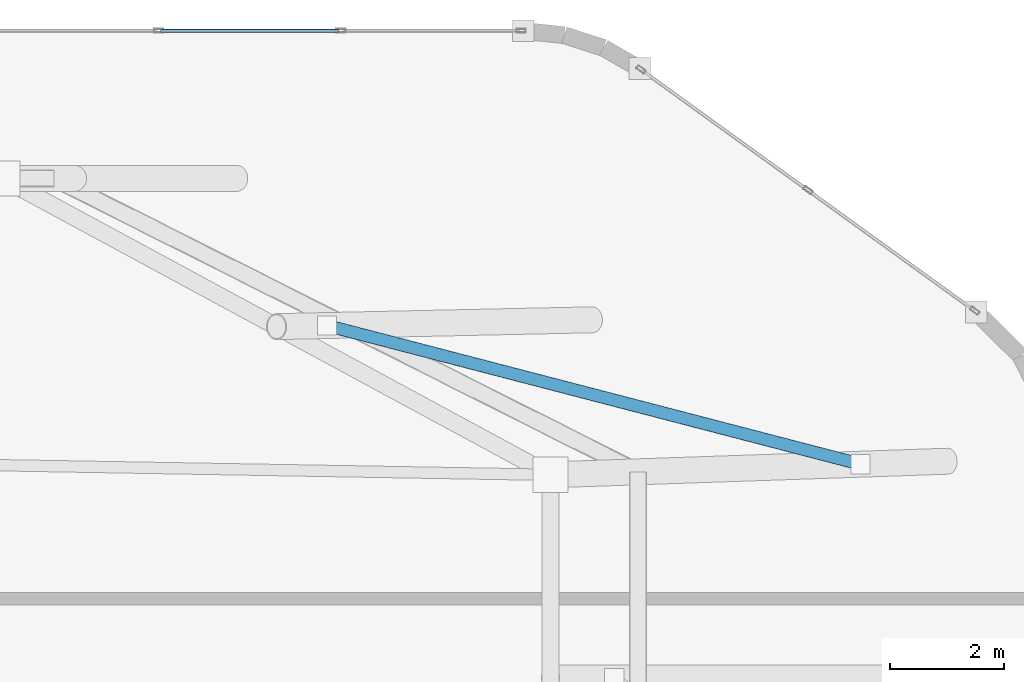
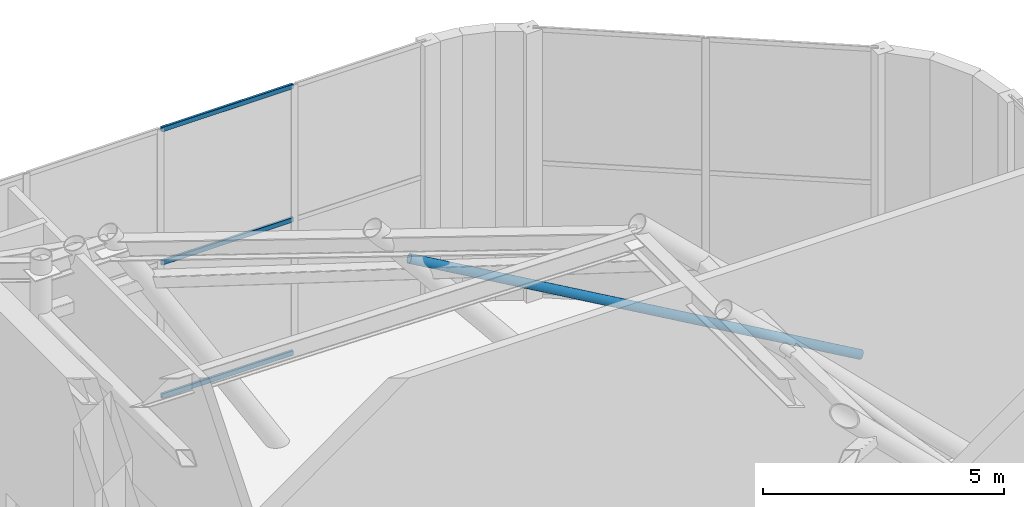
# One storey, part 16 of 23: 4 members, 1 element without a shape of its own.
"""IFC4 building model written with IfcOpenShell, lengths in metres."""

from ifc_helpers import new_model, si_unit, direction, frame, origin, origin_2d, place, context, subcontext, project, spatial, hollow_rectangle, hollow_circle, extrude, material, layer, layer_set, material_profile, profile_set, type_object, element, aggregate, save


model = new_model("IFC4")

# Units and contexts
model_context = context("Model", 3, precision=1e-05, world=origin(), true_north=direction((0.0, 1.0)))
body_context = subcontext(model_context, "Body", "Model", "MODEL_VIEW")
ifc_project = project(units=[si_unit("LENGTHUNIT", "METRE"), si_unit("AREAUNIT", "SQUARE_METRE"), si_unit("VOLUMEUNIT", "CUBIC_METRE"), si_unit("PLANEANGLEUNIT", "RADIAN"), si_unit("MASSUNIT", "GRAM", prefix="KILO")], contexts=[model_context])

# Site, building, storey
site_placement = place(None, origin())
site = spatial("IfcSite", under=ifc_project, at=site_placement, CompositionType="ELEMENT")
building_placement = place(site_placement, origin())
building = spatial("IfcBuilding", under=site, at=building_placement, Name="An Khanh Terracotta Commons", CompositionType="ELEMENT")
storey_placement = place(building_placement, frame((0.0, 0.0, 322.0)))
storey = spatial("IfcBuildingStorey", under=building, at=storey_placement, Name="L81 Crown Heat-Recovery Plant", CompositionType="ELEMENT", Elevation=322.0)

# Member
ifc_material_1 = material(Name="Steel S460ML", Category="steel")
ifc_material_profile_1 = material_profile(ifc_material_1, hollow_circle(Radius=0.109619140625, WallThickness=0.010009765625, at=origin_2d()), Name="CHS219.1x10")
ifc_profile_set_1 = profile_set([ifc_material_profile_1], Name="Steel S460ML")
member_type_1 = type_object("IfcMemberType", Name="CROWN FRAME BRACE CHS219", PredefinedType="BRACE", material=ifc_profile_set_1)
member_1_placement = place(storey_placement, frame((55.31005859375, 27.76708984375, 1.385009765625), z_axis=(-0.886894889651, 0.230516155249, 0.400349543374), x_axis=(-0.251555638343, -0.967842838904, 0.0)))
element("IfcMember", 1, at=member_1_placement, inside=storey, type_object=member_type_1, Name="L81 Crown Heat-Recovery Plant CROWN FRAME Wind Diagonal 4", PredefinedType="BRACE", context=body_context, shape_type="SweptSolid", body=[
    extrude(hollow_circle(Radius=0.109619140625, WallThickness=0.010009765625, at=origin_2d()), origin(), (0.0, 0.0, 1.0), 10.59326171875),
])

# Curtain wall, members
ifc_material_2 = material(Name="Anodised Aluminium 6063-T6", Category="aluminium")
ifc_layer = layer(ifc_material_2, 0.18994140625, Name="Anodised Aluminium 6063-T6")
ifc_layer_set = layer_set([ifc_layer], Name="Anodised Aluminium 6063-T6")
curtain_wall_type = type_object("IfcCurtainWallType", Name="CW-SYS-06", PredefinedType="USERDEFINED", material=ifc_layer_set)
curtain_wall_placement = place(storey_placement, origin())
curtain_wall = element("IfcCurtainWall", 2, at=curtain_wall_placement, inside=storey, type_object=curtain_wall_type, Name="L81 Crown Heat-Recovery Plant CW-06 Unitised Curtain Wall CW-L81-20", ObjectType="UNITISED CURTAIN WALL", PredefinedType="USERDEFINED")
ifc_material_profile_2 = material_profile(ifc_material_2, hollow_rectangle(XDim=0.06005859375, YDim=0.1201171875, WallThickness=0.003662109375, InnerFilletRadius=0.003662109375, OuterFilletRadius=0.007080078125, at=origin_2d()), Name="RHS120x60x3.6")
ifc_profile_set_2 = profile_set([ifc_material_profile_2], Name="Anodised Aluminium 6063-T6")
member_type_2 = type_object("IfcMemberType", Name="CWT-RHS120x60x3.6", PredefinedType="USERDEFINED", material=ifc_profile_set_2)
member_2_placement = place(storey_placement, frame((46.126220703125, 35.39990234375, 0.030029296875), z_axis=(-1.0, 0.0, 0.0), x_axis=(0.0, -1.0, 0.0)))
member_2 = element("IfcMember", 3, at=member_2_placement, type_object=member_type_2, Name="CW-06 transom 2.1", ObjectType="TRANSOM", PredefinedType="USERDEFINED", context=body_context, shape_type="SweptSolid", body=[
    extrude(hollow_rectangle(XDim=0.06005859375, YDim=0.1201171875, WallThickness=0.003662109375, InnerFilletRadius=0.003662109375, OuterFilletRadius=0.007080078125, at=origin_2d()), origin(), (0.0, 0.0, 1.0), 3.1435546875),
])
member_3_placement = place(storey_placement, frame((46.126220703125, 35.39990234375, 3.39990234375), z_axis=(-1.0, 0.0, 0.0), x_axis=(0.0, -1.0, 0.0)))
member_3 = element("IfcMember", 4, at=member_3_placement, type_object=member_type_2, Name="CW-06 transom 2.2", ObjectType="TRANSOM", PredefinedType="USERDEFINED", context=body_context, shape_type="SweptSolid", body=[
    extrude(hollow_rectangle(XDim=0.06005859375, YDim=0.1201171875, WallThickness=0.003662109375, InnerFilletRadius=0.003662109375, OuterFilletRadius=0.007080078125, at=origin_2d()), origin(), (0.0, 0.0, 1.0), 3.1435546875),
])
member_4_placement = place(storey_placement, frame((46.126220703125, 35.39990234375, 6.77001953125), z_axis=(-1.0, 0.0, 0.0), x_axis=(0.0, -1.0, 0.0)))
member_4 = element("IfcMember", 5, at=member_4_placement, type_object=member_type_2, Name="CW-06 transom 2.3", ObjectType="TRANSOM", PredefinedType="USERDEFINED", context=body_context, shape_type="SweptSolid", body=[
    extrude(hollow_rectangle(XDim=0.06005859375, YDim=0.1201171875, WallThickness=0.003662109375, InnerFilletRadius=0.003662109375, OuterFilletRadius=0.007080078125, at=origin_2d()), origin(), (0.0, 0.0, 1.0), 3.1435546875),
])
aggregate(curtain_wall, [member_2, member_3, member_4])

save(model, "model.ifc")
